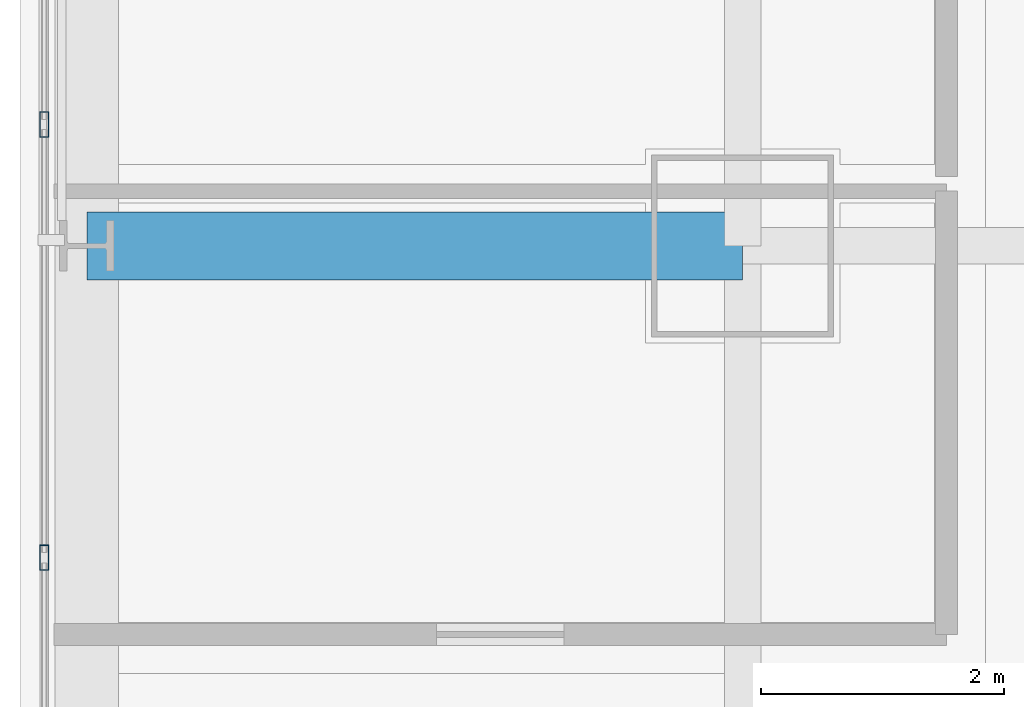
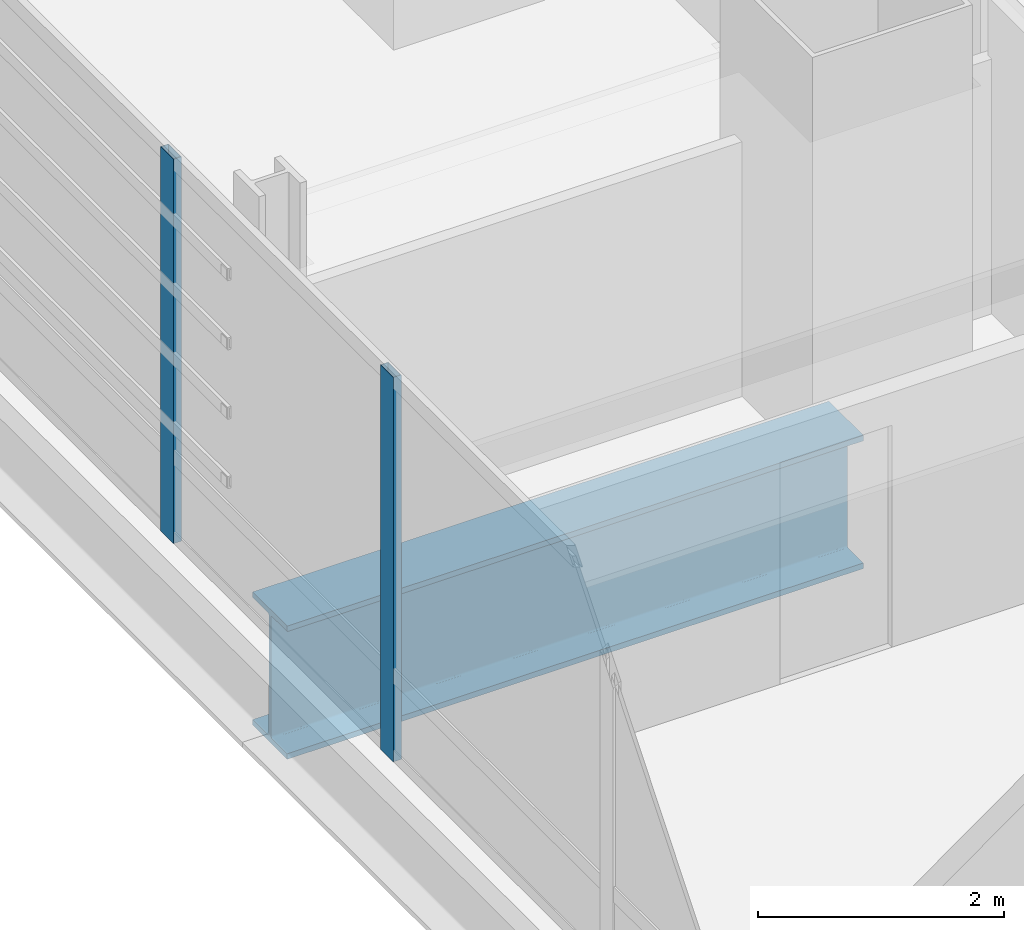
# One storey, part 9 of 36: 2 members, 1 beam, 1 element without a shape of its own.
"""IFC4 building model written with IfcOpenShell, lengths in metres."""

import ifcopenshell
import ifcopenshell.guid

model = None  # the IFC model being written
_history = None  # IfcOwnerHistory: only IFC2X3 demands one
_inside = {}  # id of a spatial element -> (the spatial element, [elements in it])
_under = {}  # id of a project, library or spatial element -> (it, [spatial elements below it])
_declared = {}  # id of a project -> (the project, [libraries it declares])
_typed = {}  # id of a type object -> (the type object, [elements of that type])
_made_of = {}  # id of a material, layer set ... -> (it, [elements and type objects made of it])


def new_model(schema):
    """Start an empty IFC model of exactly this schema.

    Asked for "IFC4X3", IfcOpenShell would pick the latest addendum, in which some entities
    have other attributes; the version numbers below select the first issue.
    IFC2X3 requires an IfcOwnerHistory on every rooted entity: one is made here for all.
    """
    global model, _history
    if schema == "IFC4X3":
        model = ifcopenshell.file(schema_version=(4, 3, 0, 0))
    else:
        model = ifcopenshell.file(schema=schema)
    _inside.clear()
    _under.clear()
    _declared.clear()
    _typed.clear()
    _made_of.clear()
    _history = None
    if model.schema == "IFC2X3":
        org = make("IfcOrganization", Name="unknown")
        user = make(
            "IfcPersonAndOrganization",
            ThePerson=make("IfcPerson", FamilyName="unknown"),
            TheOrganization=org,
        )
        app = make(
            "IfcApplication",
            ApplicationDeveloper=org,
            Version="unknown",
            ApplicationFullName="unknown",
            ApplicationIdentifier="unknown",
        )
        _history = make(
            "IfcOwnerHistory",
            OwningUser=user,
            OwningApplication=app,
            ChangeAction="ADDED",
            CreationDate=0,
        )
    return model


def make(cls, **values):
    """One entity of the class cls with the attributes given. An attribute that is None is left unset."""
    return model.create_entity(
        cls, **{name: value for name, value in values.items() if value is not None}
    )


def rooted(cls, **values):
    """An entity with a GlobalId (a new one), such as an element, a storey or a relation."""
    return make(cls, GlobalId=ifcopenshell.guid.new(), OwnerHistory=_history, **values)


def si_unit(unit_type, name, prefix=None):
    """IfcSIUnit, for example si_unit("LENGTHUNIT", "METRE", prefix="MILLI")."""
    return make("IfcSIUnit", UnitType=unit_type, Prefix=prefix, Name=name)


def assignment(units):
    """IfcUnitAssignment: the units of a project."""
    return None if units is None else make("IfcUnitAssignment", Units=units)


def point(xyz):
    """IfcCartesianPoint."""
    return None if xyz is None else make("IfcCartesianPoint", Coordinates=xyz)


def direction(xyz):
    """IfcDirection."""
    return None if xyz is None else make("IfcDirection", DirectionRatios=xyz)


def frame(location, z_axis=None, x_axis=None):
    """IfcAxis2Placement3D, a coordinate frame: its origin and axes. An axis left out is left unset."""
    return make(
        "IfcAxis2Placement3D",
        Location=point(location),
        Axis=direction(z_axis),
        RefDirection=direction(x_axis),
    )


def frame_2d(location, x_axis=None):
    """IfcAxis2Placement2D, a coordinate frame in the plane: its origin and x axis."""
    return make(
        "IfcAxis2Placement2D", Location=point(location), RefDirection=direction(x_axis)
    )


def origin():
    """The frame at (0, 0, 0) with its axes left unset."""
    return frame((0.0, 0.0, 0.0))


def origin_2d():
    """The frame at (0, 0) in the plane with its x axis left unset."""
    return frame_2d((0.0, 0.0))


def place(relative_to, where):
    """IfcLocalPlacement: puts the frame where relative to a parent placement (None: the world)."""
    return make(
        "IfcLocalPlacement", PlacementRelTo=relative_to, RelativePlacement=where
    )


def context(
    kind, dimensions, precision=None, world=None, true_north=None, identifier=None
):
    """IfcGeometricRepresentationContext, for example the 3D "Model" context."""
    return make(
        "IfcGeometricRepresentationContext",
        ContextIdentifier=identifier,
        ContextType=kind,
        CoordinateSpaceDimension=dimensions,
        Precision=precision,
        WorldCoordinateSystem=world,
        TrueNorth=true_north,
    )


def subcontext(parent, identifier, kind, view, scale=None):
    """IfcGeometricRepresentationSubContext, for example "Body" below "Model"."""
    return make(
        "IfcGeometricRepresentationSubContext",
        ContextIdentifier=identifier,
        ContextType=kind,
        ParentContext=parent,
        TargetScale=scale,
        TargetView=view,
    )


def project(units=None, contexts=None):
    """IfcProject with its units and contexts."""
    return rooted(
        "IfcProject",
        Name="project",
        RepresentationContexts=contexts,
        UnitsInContext=assignment(units),
    )


def spatial(cls, under=None, at=None, **own):
    """A site, building, storey or space (cls), placed at a placement, below another one or the project."""
    s = rooted(cls, ObjectPlacement=at, **own)
    if under is not None:
        _under.setdefault(under.id(), (under, []))[1].append(s)
    return s


def profile(cls, at=None, kind="AREA", **sizes):
    """A parametric profile (cls). Its sizes go by their IFC names, for example OverallWidth=200.0."""
    return make(cls, ProfileType=kind, Position=at, **sizes)


def hollow_rectangle(**sizes):
    """IfcRectangleHollowProfileDef."""
    return profile("IfcRectangleHollowProfileDef", **sizes)


def i_section(**sizes):
    """IfcIShapeProfileDef."""
    return profile("IfcIShapeProfileDef", **sizes)


def extrude(swept, where, along, depth):
    """IfcExtrudedAreaSolid: the profile swept, set in the frame where, extruded along a direction by depth."""
    return make(
        "IfcExtrudedAreaSolid",
        SweptArea=swept,
        Position=where,
        ExtrudedDirection=direction(along),
        Depth=depth,
    )


def shape(context_of_items, identifier, shape_type, items):
    """IfcShapeRepresentation: the items that make up one representation, for example the "Body"."""
    return make(
        "IfcShapeRepresentation",
        ContextOfItems=context_of_items,
        RepresentationIdentifier=identifier,
        RepresentationType=shape_type,
        Items=items,
    )


def material(Name=None, Category=None):
    """IfcMaterial."""
    return make("IfcMaterial", Name=Name, Category=Category)


def material_profile(
    of_material, cross_section, Name=None, Category=None, Priority=None
):
    """IfcMaterialProfile: a cross section and its material."""
    return make(
        "IfcMaterialProfile",
        Name=Name,
        Material=of_material,
        Profile=cross_section,
        Priority=Priority,
        Category=Category,
    )


def profile_set(profiles, Name=None, composite=None):
    """IfcMaterialProfileSet."""
    return make(
        "IfcMaterialProfileSet",
        Name=Name,
        MaterialProfiles=profiles,
        CompositeProfile=composite,
    )


def made_of(thing, what):
    """Note that an element or type object is made of a material, layer set ...; save() writes the relation."""
    if what is not None:
        _made_of.setdefault(what.id(), (what, []))[1].append(thing)
    return thing


def type_object(cls, material=None, **own):
    """A type object (cls), such as IfcWallType, which elements share."""
    return made_of(rooted(cls, **own), material)


def element(
    cls,
    number,
    at=None,
    inside=None,
    cuts=None,
    type_object=None,
    material=None,
    context=None,
    identifier="Body",
    shape_type=None,
    held_by="IfcProductDefinitionShape",
    body=None,
    shapes=None,
    **own,
):
    """One element of the class cls, such as IfcWall. Its Tag is "e" and its number.

    at: its placement. inside: the storey or other place that contains it. cuts: it is an
    opening in that element (IfcRelVoidsElement). A single representation is given by context,
    identifier, shape_type and body (its items); several are given by shapes. held_by: the class
    of the entity that holds the representations. save() writes the other relations.
    """
    e = rooted(cls, Tag="e%d" % number, ObjectPlacement=at, **own)
    if body is not None:
        shapes = [shape(context, identifier, shape_type, body)]
    if shapes is not None:
        e.Representation = make(held_by, Representations=shapes)
    if inside is not None:
        _inside.setdefault(inside.id(), (inside, []))[1].append(e)
    if cuts is not None:
        rooted(
            "IfcRelVoidsElement", RelatingBuildingElement=cuts, RelatedOpeningElement=e
        )
    if type_object is not None:
        _typed.setdefault(type_object.id(), (type_object, []))[1].append(e)
    return made_of(e, material)


def aggregate(whole, parts):
    """IfcRelAggregates: a whole, such as a stair, and the parts it consists of."""
    return rooted("IfcRelAggregates", RelatingObject=whole, RelatedObjects=parts)


def save(model, path):
    """Write the relations noted so far, then the file.

    IfcRelAggregates (storeys below a building ...), IfcRelContainedInSpatialStructure (elements
    in a storey), IfcRelDefinesByType, IfcRelAssociatesMaterial and IfcRelDeclares: one each for
    every whole, place, type object, material and project.
    """
    for whole, parts in _under.values():
        aggregate(whole, parts)
    for where, things in _inside.values():
        rooted(
            "IfcRelContainedInSpatialStructure",
            RelatedElements=things,
            RelatingStructure=where,
        )
    for kind, things in _typed.values():
        rooted("IfcRelDefinesByType", RelatedObjects=things, RelatingType=kind)
    for what, things in _made_of.values():
        rooted("IfcRelAssociatesMaterial", RelatedObjects=things, RelatingMaterial=what)
    for by, libraries in _declared.values():
        rooted("IfcRelDeclares", RelatingContext=by, RelatedDefinitions=libraries)
    model.write(path)


model = new_model("IFC4")

# Units and contexts
model_context = context("Model", 3, precision=1e-05, world=origin(), true_north=direction((0.0, 1.0)))
body_context = subcontext(model_context, "Body", "Model", "MODEL_VIEW")
ifc_project = project(units=[si_unit("LENGTHUNIT", "METRE"), si_unit("AREAUNIT", "SQUARE_METRE"), si_unit("VOLUMEUNIT", "CUBIC_METRE"), si_unit("PLANEANGLEUNIT", "RADIAN"), si_unit("MASSUNIT", "GRAM", prefix="KILO")], contexts=[model_context])

# Site, building, storey
site_placement = place(None, origin())
site = spatial("IfcSite", under=ifc_project, at=site_placement, CompositionType="ELEMENT")
building_placement = place(site_placement, origin())
building = spatial("IfcBuilding", under=site, at=building_placement, Name="Punatoya Terracotta Tower", CompositionType="ELEMENT")
storey_placement = place(building_placement, frame((0.0, 0.0, 32.25)))
storey = spatial("IfcBuildingStorey", under=building, at=storey_placement, Name="L06", CompositionType="ELEMENT", Elevation=32.25)

# Beam
ifc_material_1 = material(Name="Steel S460", Category="steel")
ifc_material_profile_1 = material_profile(ifc_material_1, i_section(OverallWidth=0.56005859375, OverallDepth=1.320068359375, WebThickness=0.035888671875, FlangeThickness=0.054931640625, FilletRadius=0.01806640625, at=origin_2d()))
ifc_profile_set_1 = profile_set([ifc_material_profile_1], Name="Steel S460")
beam_type = type_object("IfcBeamType", Name="BM-TG-BLK", PredefinedType="BEAM", material=ifc_profile_set_1)
beam_placement = place(storey_placement, frame((-24.5, -3.39990234375, -0.89990234375), z_axis=(1.0, 0.0, 0.0), x_axis=(0.0, 1.0, 0.0)))
element("IfcBeam", 1, at=beam_placement, inside=storey, type_object=beam_type, Name="BM-L06-CANT-W2", PredefinedType="BEAM", context=body_context, shape_type="SweptSolid", body=[
    extrude(i_section(OverallWidth=0.56005859375, OverallDepth=1.320068359375, WebThickness=0.035888671875, FlangeThickness=0.054931640625, FilletRadius=0.01806640625, at=origin_2d()), origin(), (0.0, 0.0, 1.0), 5.39990234375),
])

# Curtain wall, members
ifc_material_2 = material(Name="Aluminium 6063-T6 + Double Low-E Glass", Category="aluminium")
curtain_wall_type = type_object("IfcCurtainWallType", Name="CW-M1", PredefinedType="NOTDEFINED", material=ifc_material_2)
curtain_wall_placement = place(storey_placement, origin())
curtain_wall = element("IfcCurtainWall", 2, at=curtain_wall_placement, inside=storey, type_object=curtain_wall_type, Name="L06 Curtain Wall CW-L06-W13-1", PredefinedType="NOTDEFINED")
ifc_material_3 = material(Name="Aluminium 6063-T6", Category="aluminium")
ifc_material_profile_2 = material_profile(ifc_material_3, hollow_rectangle(XDim=0.074951171875, YDim=0.2099609375, WallThickness=0.00439453125, at=origin_2d()))
ifc_profile_set_2 = profile_set([ifc_material_profile_2], Name="Aluminium 6063-T6")
member_type = type_object("IfcMemberType", Name="CW-MUL-M1", PredefinedType="MULLION", material=ifc_profile_set_2)
member_1_placement = place(storey_placement, frame((-24.85009765625, -2.39990234375, 0.0), z_axis=(0.0, 0.0, 1.0), x_axis=(1.0, 0.0, 0.0)))
member_1 = element("IfcMember", 3, at=member_1_placement, type_object=member_type, Name="CW-L06-W13-1 Mullion 05", PredefinedType="MULLION", context=body_context, shape_type="SweptSolid", body=[
    extrude(hollow_rectangle(XDim=0.074951171875, YDim=0.2099609375, WallThickness=0.00439453125, at=origin_2d()), origin(), (0.0, 0.0, 1.0), 3.81005859375),
])
member_2_placement = place(storey_placement, frame((-24.85009765625, -5.96728515625, 0.0), z_axis=(0.0, 0.0, 1.0), x_axis=(1.0, 0.0, 0.0)))
member_2 = element("IfcMember", 4, at=member_2_placement, type_object=member_type, Name="CW-L06-W13-1 Mullion 06", PredefinedType="MULLION", context=body_context, shape_type="SweptSolid", body=[
    extrude(hollow_rectangle(XDim=0.074951171875, YDim=0.2099609375, WallThickness=0.00439453125, at=origin_2d()), origin(), (0.0, 0.0, 1.0), 3.81005859375),
])
aggregate(curtain_wall, [member_1, member_2])

save(model, "model.ifc")
